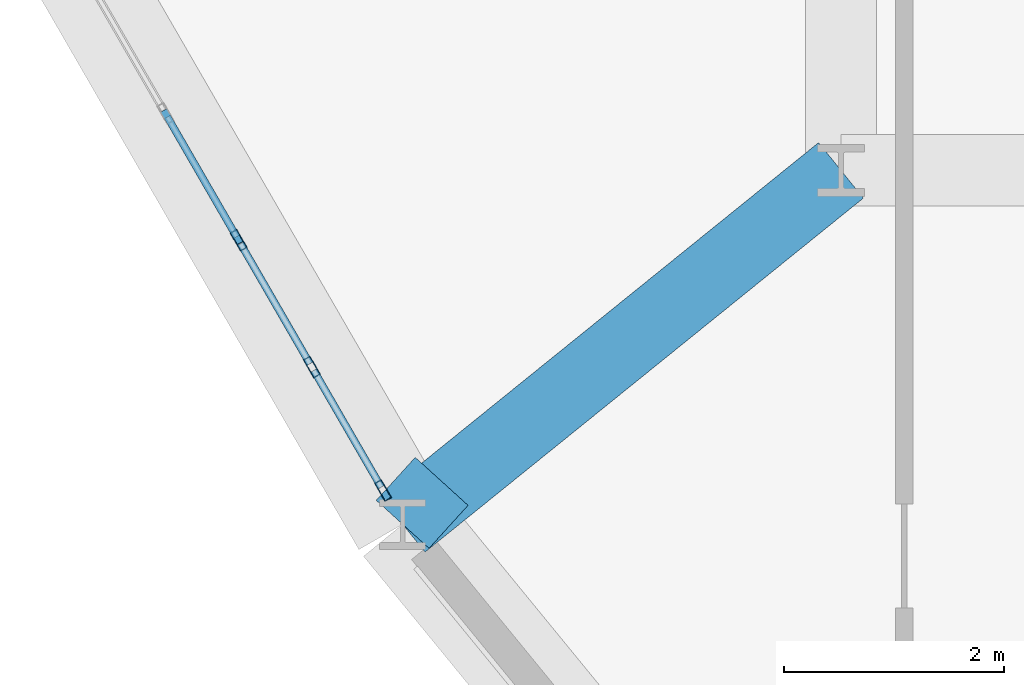
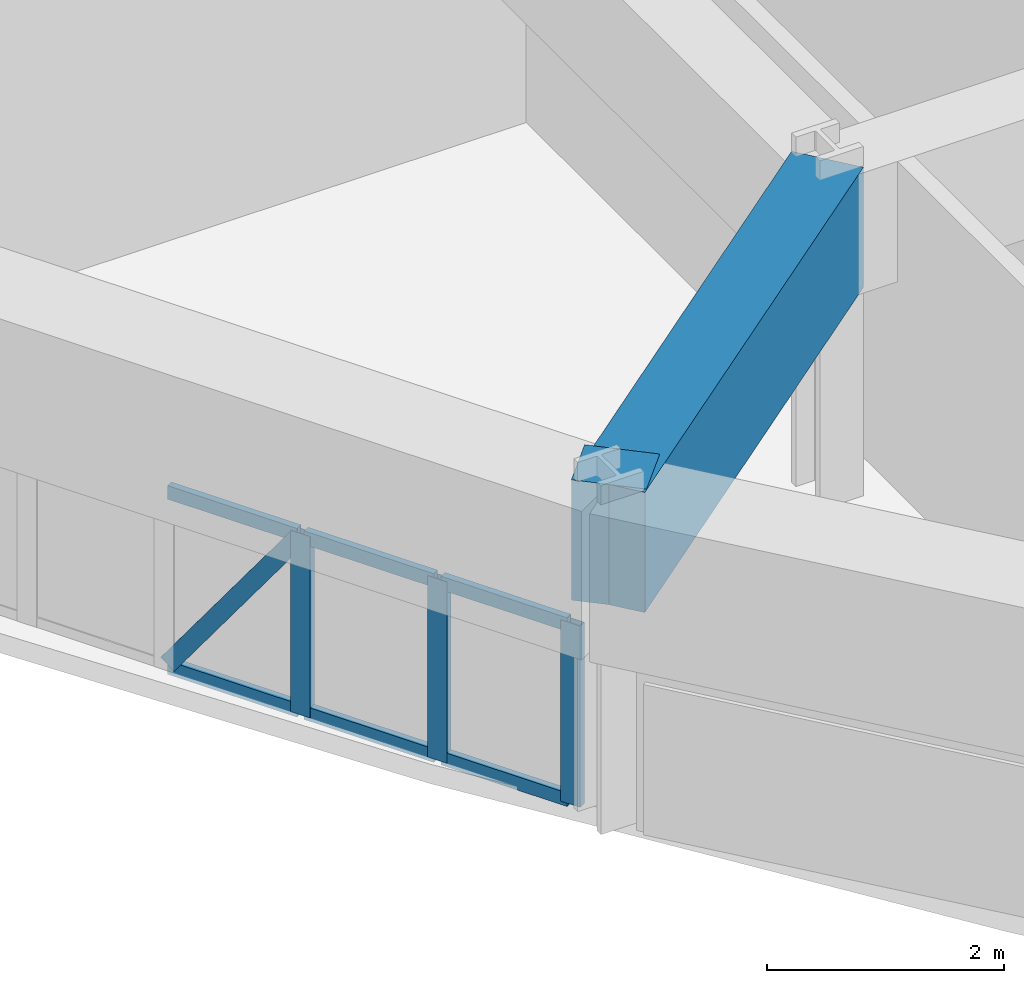
# One storey, part 2 of 15: 10 members, 2 beams, 1 element without a shape of its own.
"""IFC4 building model written with IfcOpenShell, lengths in metres."""

from ifc_helpers import new_model, si_unit, derived_unit, direction, frame, origin, origin_2d, place, context, subcontext, project, spatial, rectangle, hollow_rectangle, extrude, source, transform, mapped, material, layer, layer_set, material_profile, profile_set, type_object, element, aggregate, save


model = new_model("IFC4")

# Units and contexts
model_context = context("Model", 3, precision=1e-05, world=origin(), true_north=direction((0.0, 1.0)))
body_context = subcontext(model_context, "Body", "Model", "MODEL_VIEW")
ifc_project = project(units=[si_unit("LENGTHUNIT", "METRE"), si_unit("AREAUNIT", "SQUARE_METRE"), si_unit("VOLUMEUNIT", "CUBIC_METRE"), si_unit("PLANEANGLEUNIT", "RADIAN"), si_unit("MASSUNIT", "GRAM", prefix="KILO"), derived_unit("THERMALTRANSMITTANCEUNIT", [(si_unit("POWERUNIT", "WATT"), 1), (si_unit("LENGTHUNIT", "METRE"), -2), (si_unit("THERMODYNAMICTEMPERATUREUNIT", "KELVIN"), -1)])], contexts=[model_context])

# Site, building, storey
site_placement = place(None, origin())
site = spatial("IfcSite", under=ifc_project, at=site_placement, CompositionType="ELEMENT")
building_placement = place(site_placement, origin())
building = spatial("IfcBuilding", under=site, at=building_placement, Name="Korsvarv Bourse and Concert Hall", CompositionType="ELEMENT")
storey_placement = place(building_placement, frame((0.0, 0.0, 117.0)))
storey = spatial("IfcBuildingStorey", under=building, at=storey_placement, Name="L29", CompositionType="ELEMENT", Elevation=117.0)

# Beams
ifc_material_1 = material(Name="Concrete C50/60", Category="concrete")
ifc_material_profile_1 = material_profile(ifc_material_1, rectangle(XDim=0.64990234375, YDim=1.239990234375, at=origin_2d()), Name="RC-BM 650x1240")
ifc_profile_set_1 = profile_set([ifc_material_profile_1], Name="Concrete C50/60")
beam_type = type_object("IfcBeamType", Name="BM-TR-SPN", PredefinedType="BEAM", material=ifc_profile_set_1)
shared_shape_1 = source(origin(), body_context, "Body", "SweptSolid", [
    extrude(rectangle(XDim=0.64990234375, YDim=1.239990234375, at=origin_2d()), origin(), (0.0, 0.0, 1.0), 5.132080078125),
])
beam_1_placement = place(storey_placement, frame((23.607177734375, 20.77587890625, 2.780029296875), z_axis=(0.778029713996, 0.62822747802, 0.0), x_axis=(-0.62822747802, 0.778029713996, 0.0)))
element("IfcBeam", 1, at=beam_1_placement, inside=storey, type_object=beam_type, Name="L29 beam B-TRS", PredefinedType="BEAM", context=body_context, shape_type="MappedRepresentation", body=[
    mapped(shared_shape_1, transform((0.0, 0.0, 0.0), scale=1.0)),
])
shared_shape_2 = source(origin(), body_context, "Body", "SweptSolid", [
    extrude(rectangle(XDim=0.64990234375, YDim=1.239990234375, at=origin_2d()), origin(), (0.0, 0.0, 1.0), 0.528564453125),
])
beam_2_placement = place(storey_placement, frame((23.607177734375, 20.77587890625, 2.780029296875), z_axis=(0.672097800119, 0.740462387347, 0.0), x_axis=(-0.740462387347, 0.672097800119, 0.0)))
element("IfcBeam", 2, at=beam_2_placement, inside=storey, type_object=beam_type, Name="L29 beam B-TRS", PredefinedType="BEAM", context=body_context, shape_type="MappedRepresentation", body=[
    mapped(shared_shape_2, transform((0.0, 0.0, 0.0), scale=1.0)),
])

# Curtain wall, members
ifc_material_2 = material(Name="Anodised aluminium and triple low-E glazing", Category="glass")
ifc_layer = layer(ifc_material_2, 0.2099609375)
ifc_layer_set = layer_set([ifc_layer], Name="Anodised aluminium and triple low-E glazing")
curtain_wall_type = type_object("IfcCurtainWallType", Name="CW-SYS-2", PredefinedType="NOTDEFINED", material=ifc_layer_set)
curtain_wall_placement = place(storey_placement, origin())
curtain_wall = element("IfcCurtainWall", 3, at=curtain_wall_placement, inside=storey, type_object=curtain_wall_type, Name="L29 CW2 curtain wall CW-L29-F07", PredefinedType="NOTDEFINED")
ifc_material_3 = material(Name="Extruded aluminium EN AW-6063 T66", Category="aluminium")
ifc_material_profile_2 = material_profile(ifc_material_3, hollow_rectangle(XDim=0.070068359375, YDim=0.18994140625, WallThickness=0.0048828125, at=origin_2d()), Name="ALU-M 70x190")
ifc_profile_set_2 = profile_set([ifc_material_profile_2], Name="Extruded aluminium EN AW-6063 T66")
member_type_1 = type_object("IfcMemberType", Name="CWM-190", PredefinedType="MULLION", material=ifc_profile_set_2)
shared_shape_3 = source(origin(), body_context, "Body", "SweptSolid", [
    extrude(hollow_rectangle(XDim=0.070068359375, YDim=0.18994140625, WallThickness=0.0048828125, at=origin_2d()), origin(), (0.0, 0.0, 1.0), 1.8701171875),
])
member_1_placement = place(storey_placement, frame((22.113525390625, 23.363037109375, 0.0), z_axis=(0.0, 0.0, 1.0), x_axis=(0.866021744853, 0.500006337402, 0.0)))
member_1 = element("IfcMember", 4, at=member_1_placement, type_object=member_type_1, Name="CW2 mullion 9", PredefinedType="MULLION", context=body_context, shape_type="MappedRepresentation", body=[
    mapped(shared_shape_3, transform((0.0, 0.0, 0.0), scale=1.0)),
])
member_2_placement = place(storey_placement, frame((22.7802734375, 22.208251953125, 0.0), z_axis=(0.0, 0.0, 1.0), x_axis=(0.866021744853, 0.500006337402, 0.0)))
member_2 = element("IfcMember", 5, at=member_2_placement, type_object=member_type_1, Name="CW2 mullion 10", PredefinedType="MULLION", context=body_context, shape_type="MappedRepresentation", body=[
    mapped(shared_shape_3, transform((0.0, 0.0, 0.0), scale=1.0)),
])
member_3_placement = place(storey_placement, frame((23.429443359375, 21.083740234375, 0.0), z_axis=(0.0, 0.0, 1.0), x_axis=(0.866021744853, 0.500006337402, 0.0)))
member_3 = element("IfcMember", 6, at=member_3_placement, type_object=member_type_1, Name="CW2 mullion 11", PredefinedType="MULLION", context=body_context, shape_type="MappedRepresentation", body=[
    mapped(shared_shape_3, transform((0.0, 0.0, 0.0), scale=1.0)),
])
ifc_material_profile_3 = material_profile(ifc_material_3, hollow_rectangle(XDim=0.06494140625, YDim=0.139892578125, WallThickness=0.00390625, at=origin_2d()), Name="ALU-T 65x140")
ifc_profile_set_3 = profile_set([ifc_material_profile_3], Name="Extruded aluminium EN AW-6063 T66")
member_type_2 = type_object("IfcMemberType", Name="CWT-140", PredefinedType="USERDEFINED", material=ifc_profile_set_3)
shared_shape_4 = source(origin(), body_context, "Body", "SweptSolid", [
    extrude(hollow_rectangle(XDim=0.06494140625, YDim=0.139892578125, WallThickness=0.00390625, at=origin_2d()), origin(), (0.0, 0.0, 1.0), 1.263671875),
])
member_4_placement = place(storey_placement, frame((21.464111328125, 24.487548828125, 0.032470703125), z_axis=(0.500045805297, -0.865998956469, 0.0), x_axis=(0.865998956469, 0.500045805297, 0.0)))
member_4 = element("IfcMember", 7, at=member_4_placement, type_object=member_type_2, Name="CW2 transom 8.1", ObjectType="TRANSOM", PredefinedType="USERDEFINED", context=body_context, shape_type="MappedRepresentation", body=[
    mapped(shared_shape_4, transform((0.0, 0.0, 0.0), scale=1.0)),
])
member_5_placement = place(storey_placement, frame((21.464111328125, 24.487548828125, 1.83740234375), z_axis=(0.500045805297, -0.865998956469, 0.0), x_axis=(0.865998956469, 0.500045805297, 0.0)))
member_5 = element("IfcMember", 8, at=member_5_placement, type_object=member_type_2, Name="CW2 transom 8.2", ObjectType="TRANSOM", PredefinedType="USERDEFINED", context=body_context, shape_type="MappedRepresentation", body=[
    mapped(shared_shape_4, transform((0.0, 0.0, 0.0), scale=1.0)),
])
member_6_placement = place(storey_placement, frame((22.130859375, 23.332763671875, 0.032470703125), z_axis=(0.500045805297, -0.865998956469, 0.0), x_axis=(0.865998956469, 0.500045805297, 0.0)))
member_6 = element("IfcMember", 9, at=member_6_placement, type_object=member_type_2, Name="CW2 transom 9.1", ObjectType="TRANSOM", PredefinedType="USERDEFINED", context=body_context, shape_type="MappedRepresentation", body=[
    mapped(shared_shape_4, transform((0.0, 0.0, 0.0), scale=1.0)),
])
member_7_placement = place(storey_placement, frame((22.130859375, 23.332763671875, 1.83740234375), z_axis=(0.500045805297, -0.865998956469, 0.0), x_axis=(0.865998956469, 0.500045805297, 0.0)))
member_7 = element("IfcMember", 10, at=member_7_placement, type_object=member_type_2, Name="CW2 transom 9.2", ObjectType="TRANSOM", PredefinedType="USERDEFINED", context=body_context, shape_type="MappedRepresentation", body=[
    mapped(shared_shape_4, transform((0.0, 0.0, 0.0), scale=1.0)),
])
ifc_material_profile_4 = material_profile(ifc_material_3, hollow_rectangle(XDim=0.06494140625, YDim=0.1650390625, WallThickness=0.0048828125, at=origin_2d()), Name="ALU-M 65x165")
ifc_profile_set_4 = profile_set([ifc_material_profile_4], Name="Extruded aluminium EN AW-6063 T66")
member_type_3 = type_object("IfcMemberType", Name="CWM-165", PredefinedType="MULLION", material=ifc_profile_set_4)
shared_shape_5 = source(origin(), body_context, "Body", "SweptSolid", [
    extrude(hollow_rectangle(XDim=0.06494140625, YDim=0.1650390625, WallThickness=0.0048828125, at=origin_2d()), origin(), (0.0, 0.0, 1.0), 2.150390625),
])
member_8_placement = place(storey_placement, frame((21.464111328125, 24.487548828125, 0.06494140625), z_axis=(0.293825059629, -0.508857773283, 0.809154250377), x_axis=(0.865998956469, 0.500045805297, 0.0)))
member_8 = element("IfcMember", 11, at=member_8_placement, type_object=member_type_3, Name="CW2 diagonal mullion 8", PredefinedType="MULLION", context=body_context, shape_type="MappedRepresentation", body=[
    mapped(shared_shape_5, transform((0.0, 0.0, 0.0), scale=1.0)),
])
shared_shape_6 = source(origin(), body_context, "Body", "SweptSolid", [
    extrude(hollow_rectangle(XDim=0.06494140625, YDim=0.139892578125, WallThickness=0.00390625, at=origin_2d()), origin(), (0.0, 0.0, 1.0), 1.228515625),
])
member_9_placement = place(storey_placement, frame((22.7978515625, 22.177978515625, 0.032470703125), z_axis=(0.499986217557, -0.866033360935, 0.0), x_axis=(0.866033360935, 0.499986217557, 0.0)))
member_9 = element("IfcMember", 12, at=member_9_placement, type_object=member_type_2, Name="CW2 transom 10.1", ObjectType="TRANSOM", PredefinedType="USERDEFINED", context=body_context, shape_type="MappedRepresentation", body=[
    mapped(shared_shape_6, transform((0.0, 0.0, 0.0), scale=1.0)),
])
member_10_placement = place(storey_placement, frame((22.7978515625, 22.177978515625, 1.83740234375), z_axis=(0.499986217557, -0.866033360935, 0.0), x_axis=(0.866033360935, 0.499986217557, 0.0)))
member_10 = element("IfcMember", 13, at=member_10_placement, type_object=member_type_2, Name="CW2 transom 10.2", ObjectType="TRANSOM", PredefinedType="USERDEFINED", context=body_context, shape_type="MappedRepresentation", body=[
    mapped(shared_shape_6, transform((0.0, 0.0, 0.0), scale=1.0)),
])
aggregate(curtain_wall, [member_1, member_2, member_3, member_4, member_5, member_8, member_6, member_7, member_9, member_10])

save(model, "model.ifc")
